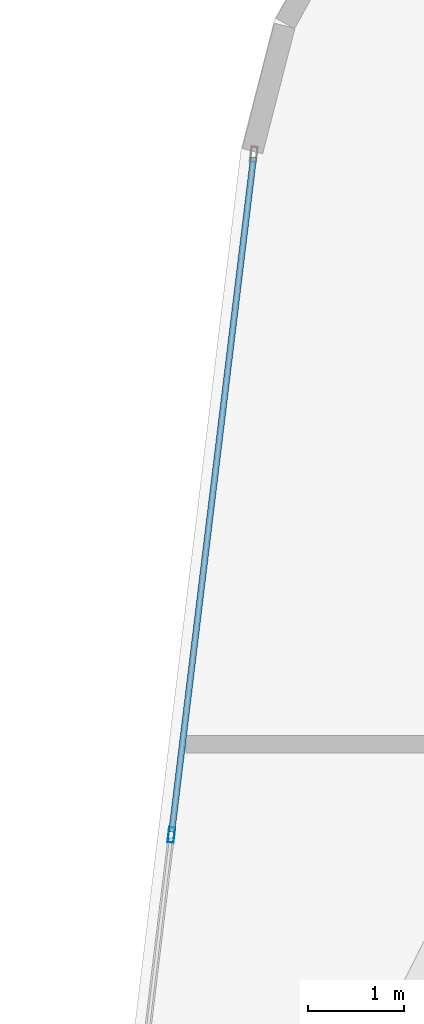
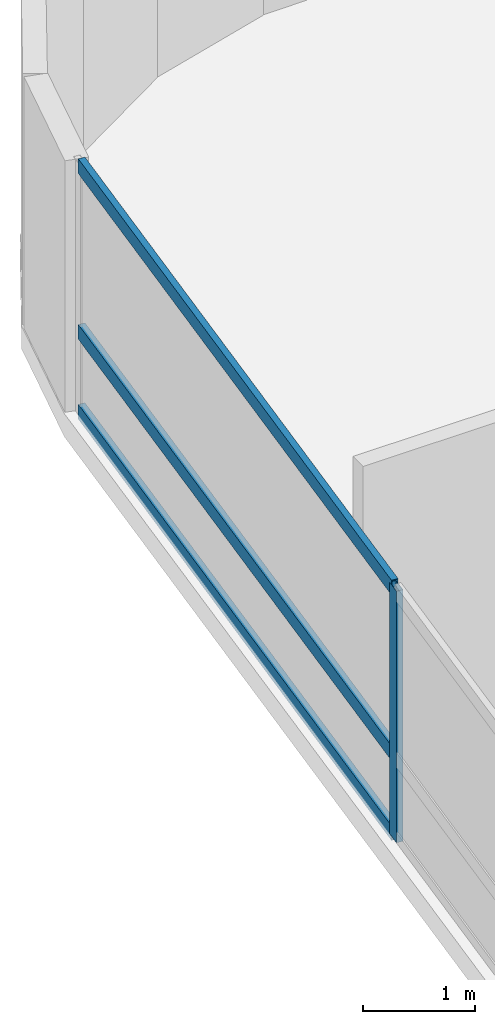
# One storey, part 10 of 26: 4 members, 1 element without a shape of its own.
"""IFC4 building model written with IfcOpenShell, lengths in metres."""

import ifcopenshell
import ifcopenshell.guid

model = None  # the IFC model being written
_history = None  # IfcOwnerHistory: only IFC2X3 demands one
_inside = {}  # id of a spatial element -> (the spatial element, [elements in it])
_under = {}  # id of a project, library or spatial element -> (it, [spatial elements below it])
_declared = {}  # id of a project -> (the project, [libraries it declares])
_typed = {}  # id of a type object -> (the type object, [elements of that type])
_made_of = {}  # id of a material, layer set ... -> (it, [elements and type objects made of it])


def new_model(schema):
    """Start an empty IFC model of exactly this schema.

    Asked for "IFC4X3", IfcOpenShell would pick the latest addendum, in which some entities
    have other attributes; the version numbers below select the first issue.
    IFC2X3 requires an IfcOwnerHistory on every rooted entity: one is made here for all.
    """
    global model, _history
    if schema == "IFC4X3":
        model = ifcopenshell.file(schema_version=(4, 3, 0, 0))
    else:
        model = ifcopenshell.file(schema=schema)
    _inside.clear()
    _under.clear()
    _declared.clear()
    _typed.clear()
    _made_of.clear()
    _history = None
    if model.schema == "IFC2X3":
        org = make("IfcOrganization", Name="unknown")
        user = make(
            "IfcPersonAndOrganization",
            ThePerson=make("IfcPerson", FamilyName="unknown"),
            TheOrganization=org,
        )
        app = make(
            "IfcApplication",
            ApplicationDeveloper=org,
            Version="unknown",
            ApplicationFullName="unknown",
            ApplicationIdentifier="unknown",
        )
        _history = make(
            "IfcOwnerHistory",
            OwningUser=user,
            OwningApplication=app,
            ChangeAction="ADDED",
            CreationDate=0,
        )
    return model


def make(cls, **values):
    """One entity of the class cls with the attributes given. An attribute that is None is left unset."""
    return model.create_entity(
        cls, **{name: value for name, value in values.items() if value is not None}
    )


def rooted(cls, **values):
    """An entity with a GlobalId (a new one), such as an element, a storey or a relation."""
    return make(cls, GlobalId=ifcopenshell.guid.new(), OwnerHistory=_history, **values)


def si_unit(unit_type, name, prefix=None):
    """IfcSIUnit, for example si_unit("LENGTHUNIT", "METRE", prefix="MILLI")."""
    return make("IfcSIUnit", UnitType=unit_type, Prefix=prefix, Name=name)


def assignment(units):
    """IfcUnitAssignment: the units of a project."""
    return None if units is None else make("IfcUnitAssignment", Units=units)


def point(xyz):
    """IfcCartesianPoint."""
    return None if xyz is None else make("IfcCartesianPoint", Coordinates=xyz)


def direction(xyz):
    """IfcDirection."""
    return None if xyz is None else make("IfcDirection", DirectionRatios=xyz)


def frame(location, z_axis=None, x_axis=None):
    """IfcAxis2Placement3D, a coordinate frame: its origin and axes. An axis left out is left unset."""
    return make(
        "IfcAxis2Placement3D",
        Location=point(location),
        Axis=direction(z_axis),
        RefDirection=direction(x_axis),
    )


def frame_2d(location, x_axis=None):
    """IfcAxis2Placement2D, a coordinate frame in the plane: its origin and x axis."""
    return make(
        "IfcAxis2Placement2D", Location=point(location), RefDirection=direction(x_axis)
    )


def origin():
    """The frame at (0, 0, 0) with its axes left unset."""
    return frame((0.0, 0.0, 0.0))


def origin_2d():
    """The frame at (0, 0) in the plane with its x axis left unset."""
    return frame_2d((0.0, 0.0))


def place(relative_to, where):
    """IfcLocalPlacement: puts the frame where relative to a parent placement (None: the world)."""
    return make(
        "IfcLocalPlacement", PlacementRelTo=relative_to, RelativePlacement=where
    )


def context(
    kind, dimensions, precision=None, world=None, true_north=None, identifier=None
):
    """IfcGeometricRepresentationContext, for example the 3D "Model" context."""
    return make(
        "IfcGeometricRepresentationContext",
        ContextIdentifier=identifier,
        ContextType=kind,
        CoordinateSpaceDimension=dimensions,
        Precision=precision,
        WorldCoordinateSystem=world,
        TrueNorth=true_north,
    )


def subcontext(parent, identifier, kind, view, scale=None):
    """IfcGeometricRepresentationSubContext, for example "Body" below "Model"."""
    return make(
        "IfcGeometricRepresentationSubContext",
        ContextIdentifier=identifier,
        ContextType=kind,
        ParentContext=parent,
        TargetScale=scale,
        TargetView=view,
    )


def project(units=None, contexts=None):
    """IfcProject with its units and contexts."""
    return rooted(
        "IfcProject",
        Name="project",
        RepresentationContexts=contexts,
        UnitsInContext=assignment(units),
    )


def spatial(cls, under=None, at=None, **own):
    """A site, building, storey or space (cls), placed at a placement, below another one or the project."""
    s = rooted(cls, ObjectPlacement=at, **own)
    if under is not None:
        _under.setdefault(under.id(), (under, []))[1].append(s)
    return s


def profile(cls, at=None, kind="AREA", **sizes):
    """A parametric profile (cls). Its sizes go by their IFC names, for example OverallWidth=200.0."""
    return make(cls, ProfileType=kind, Position=at, **sizes)


def hollow_rectangle(**sizes):
    """IfcRectangleHollowProfileDef."""
    return profile("IfcRectangleHollowProfileDef", **sizes)


def extrude(swept, where, along, depth):
    """IfcExtrudedAreaSolid: the profile swept, set in the frame where, extruded along a direction by depth."""
    return make(
        "IfcExtrudedAreaSolid",
        SweptArea=swept,
        Position=where,
        ExtrudedDirection=direction(along),
        Depth=depth,
    )


def shape(context_of_items, identifier, shape_type, items):
    """IfcShapeRepresentation: the items that make up one representation, for example the "Body"."""
    return make(
        "IfcShapeRepresentation",
        ContextOfItems=context_of_items,
        RepresentationIdentifier=identifier,
        RepresentationType=shape_type,
        Items=items,
    )


def material(Name=None, Category=None):
    """IfcMaterial."""
    return make("IfcMaterial", Name=Name, Category=Category)


def layer(
    of_material, thickness, ventilated=None, Name=None, Category=None, Priority=None
):
    """IfcMaterialLayer: one layer of a wall or slab, of a material (None: an air gap)."""
    return make(
        "IfcMaterialLayer",
        Material=of_material,
        LayerThickness=thickness,
        IsVentilated=ventilated,
        Name=Name,
        Category=Category,
        Priority=Priority,
    )


def layer_set(layers, Name=None):
    """IfcMaterialLayerSet."""
    return make("IfcMaterialLayerSet", MaterialLayers=layers, LayerSetName=Name)


def material_profile(
    of_material, cross_section, Name=None, Category=None, Priority=None
):
    """IfcMaterialProfile: a cross section and its material."""
    return make(
        "IfcMaterialProfile",
        Name=Name,
        Material=of_material,
        Profile=cross_section,
        Priority=Priority,
        Category=Category,
    )


def profile_set(profiles, Name=None, composite=None):
    """IfcMaterialProfileSet."""
    return make(
        "IfcMaterialProfileSet",
        Name=Name,
        MaterialProfiles=profiles,
        CompositeProfile=composite,
    )


def made_of(thing, what):
    """Note that an element or type object is made of a material, layer set ...; save() writes the relation."""
    if what is not None:
        _made_of.setdefault(what.id(), (what, []))[1].append(thing)
    return thing


def type_object(cls, material=None, **own):
    """A type object (cls), such as IfcWallType, which elements share."""
    return made_of(rooted(cls, **own), material)


def element(
    cls,
    number,
    at=None,
    inside=None,
    cuts=None,
    type_object=None,
    material=None,
    context=None,
    identifier="Body",
    shape_type=None,
    held_by="IfcProductDefinitionShape",
    body=None,
    shapes=None,
    **own,
):
    """One element of the class cls, such as IfcWall. Its Tag is "e" and its number.

    at: its placement. inside: the storey or other place that contains it. cuts: it is an
    opening in that element (IfcRelVoidsElement). A single representation is given by context,
    identifier, shape_type and body (its items); several are given by shapes. held_by: the class
    of the entity that holds the representations. save() writes the other relations.
    """
    e = rooted(cls, Tag="e%d" % number, ObjectPlacement=at, **own)
    if body is not None:
        shapes = [shape(context, identifier, shape_type, body)]
    if shapes is not None:
        e.Representation = make(held_by, Representations=shapes)
    if inside is not None:
        _inside.setdefault(inside.id(), (inside, []))[1].append(e)
    if cuts is not None:
        rooted(
            "IfcRelVoidsElement", RelatingBuildingElement=cuts, RelatedOpeningElement=e
        )
    if type_object is not None:
        _typed.setdefault(type_object.id(), (type_object, []))[1].append(e)
    return made_of(e, material)


def aggregate(whole, parts):
    """IfcRelAggregates: a whole, such as a stair, and the parts it consists of."""
    return rooted("IfcRelAggregates", RelatingObject=whole, RelatedObjects=parts)


def save(model, path):
    """Write the relations noted so far, then the file.

    IfcRelAggregates (storeys below a building ...), IfcRelContainedInSpatialStructure (elements
    in a storey), IfcRelDefinesByType, IfcRelAssociatesMaterial and IfcRelDeclares: one each for
    every whole, place, type object, material and project.
    """
    for whole, parts in _under.values():
        aggregate(whole, parts)
    for where, things in _inside.values():
        rooted(
            "IfcRelContainedInSpatialStructure",
            RelatedElements=things,
            RelatingStructure=where,
        )
    for kind, things in _typed.values():
        rooted("IfcRelDefinesByType", RelatedObjects=things, RelatingType=kind)
    for what, things in _made_of.values():
        rooted("IfcRelAssociatesMaterial", RelatedObjects=things, RelatingMaterial=what)
    for by, libraries in _declared.values():
        rooted("IfcRelDeclares", RelatingContext=by, RelatedDefinitions=libraries)
    model.write(path)


model = new_model("IFC4")

# Units and contexts
model_context = context("Model", 3, precision=1e-05, world=origin(), true_north=direction((0.0, 1.0)))
body_context = subcontext(model_context, "Body", "Model", "MODEL_VIEW")
ifc_project = project(units=[si_unit("LENGTHUNIT", "METRE"), si_unit("AREAUNIT", "SQUARE_METRE"), si_unit("VOLUMEUNIT", "CUBIC_METRE"), si_unit("PLANEANGLEUNIT", "RADIAN"), si_unit("MASSUNIT", "GRAM", prefix="KILO")], contexts=[model_context])

# Site, building, storey
site_placement = place(None, origin())
site = spatial("IfcSite", under=ifc_project, at=site_placement, CompositionType="ELEMENT")
building_placement = place(site_placement, origin())
building = spatial("IfcBuilding", under=site, at=building_placement, Name="Varnelok Gate Tower", CompositionType="ELEMENT")
storey_placement = place(building_placement, frame((0.0, 0.0, 129.10009765625)))
storey = spatial("IfcBuildingStorey", under=building, at=storey_placement, Name="L32", CompositionType="ELEMENT", Elevation=129.10009765625)

# Curtain wall, members
ifc_material = material(Name="Anodized Aluminum Alloy 6063-T6", Category="aluminium")
ifc_layer = layer(ifc_material, 0.179931640625)
ifc_layer_set = layer_set([ifc_layer], Name="Anodized Aluminum Alloy 6063-T6")
curtain_wall_type = type_object("IfcCurtainWallType", Name="CW3-HOTEL-VISION", PredefinedType="USERDEFINED", material=ifc_layer_set)
curtain_wall_placement = place(storey_placement, origin())
curtain_wall = element("IfcCurtainWall", 1, at=curtain_wall_placement, inside=storey, type_object=curtain_wall_type, Name="L32 West End Vision Curtain Wall", ObjectType="UNITISED CURTAIN WALL", PredefinedType="USERDEFINED")
ifc_material_profile_1 = material_profile(ifc_material, hollow_rectangle(XDim=0.06494140625, YDim=0.159912109375, WallThickness=0.00390625, at=origin_2d()), Name="ALU160X65X4")
ifc_profile_set_1 = profile_set([ifc_material_profile_1], Name="Anodized Aluminum Alloy 6063-T6")
member_type_1 = type_object("IfcMemberType", Name="CW-MULL-160", PredefinedType="MULLION", material=ifc_profile_set_1)
member_1_placement = place(storey_placement, frame((3.708984375, 40.4814453125, 0.0), z_axis=(0.0, 0.0, 1.0), x_axis=(-0.99273188146, 0.120347046212, 0.0)))
member_1 = element("IfcMember", 2, at=member_1_placement, type_object=member_type_1, Name="CW3 mullion 5", PredefinedType="MULLION", context=body_context, shape_type="SweptSolid", body=[
    extrude(hollow_rectangle(XDim=0.06494140625, YDim=0.159912109375, WallThickness=0.00390625, at=origin_2d()), origin(), (0.0, 0.0, 1.0), 2.72998046875),
])
ifc_material_profile_2 = material_profile(ifc_material, hollow_rectangle(XDim=0.06494140625, YDim=0.159912109375, WallThickness=0.00390625, at=origin_2d()), Name="ALU160X65X4")
ifc_profile_set_2 = profile_set([ifc_material_profile_2], Name="Anodized Aluminum Alloy 6063-T6")
member_type_2 = type_object("IfcMemberType", Name="CW-TRAN-160", PredefinedType="USERDEFINED", material=ifc_profile_set_2)
member_2_placement = place(storey_placement, frame((3.712890625, 40.513671875, 0.032470703125), z_axis=(0.120374481497, 0.992728555147, 0.0), x_axis=(-0.992728555147, 0.120374481497, 0.0)))
member_2 = element("IfcMember", 3, at=member_2_placement, type_object=member_type_2, Name="CW3 transom 5.1", ObjectType="TRANSOM", PredefinedType="USERDEFINED", context=body_context, shape_type="SweptSolid", body=[
    extrude(hollow_rectangle(XDim=0.06494140625, YDim=0.159912109375, WallThickness=0.00390625, at=origin_2d()), origin(), (0.0, 0.0, 1.0), 7.102783203125),
])
member_3_placement = place(storey_placement, frame((3.712890625, 40.513671875, 0.89990234375), z_axis=(0.120374481497, 0.992728555147, 0.0), x_axis=(-0.992728555147, 0.120374481497, 0.0)))
member_3 = element("IfcMember", 4, at=member_3_placement, type_object=member_type_2, Name="CW3 transom 5.2", ObjectType="TRANSOM", PredefinedType="USERDEFINED", context=body_context, shape_type="SweptSolid", body=[
    extrude(hollow_rectangle(XDim=0.06494140625, YDim=0.159912109375, WallThickness=0.00390625, at=origin_2d()), origin(), (0.0, 0.0, 1.0), 7.102783203125),
])
member_4_placement = place(storey_placement, frame((3.712890625, 40.513671875, 2.697509765625), z_axis=(0.120374481497, 0.992728555147, 0.0), x_axis=(-0.992728555147, 0.120374481497, 0.0)))
member_4 = element("IfcMember", 5, at=member_4_placement, type_object=member_type_2, Name="CW3 transom 5.3", ObjectType="TRANSOM", PredefinedType="USERDEFINED", context=body_context, shape_type="SweptSolid", body=[
    extrude(hollow_rectangle(XDim=0.06494140625, YDim=0.159912109375, WallThickness=0.00390625, at=origin_2d()), origin(), (0.0, 0.0, 1.0), 7.102783203125),
])
aggregate(curtain_wall, [member_1, member_2, member_3, member_4])

save(model, "model.ifc")
